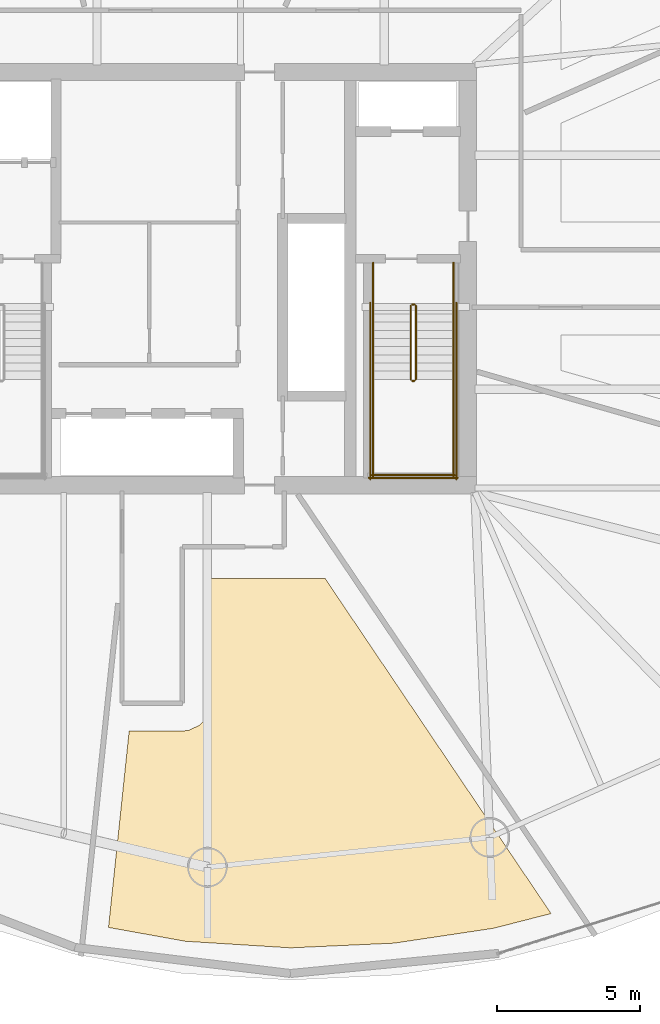
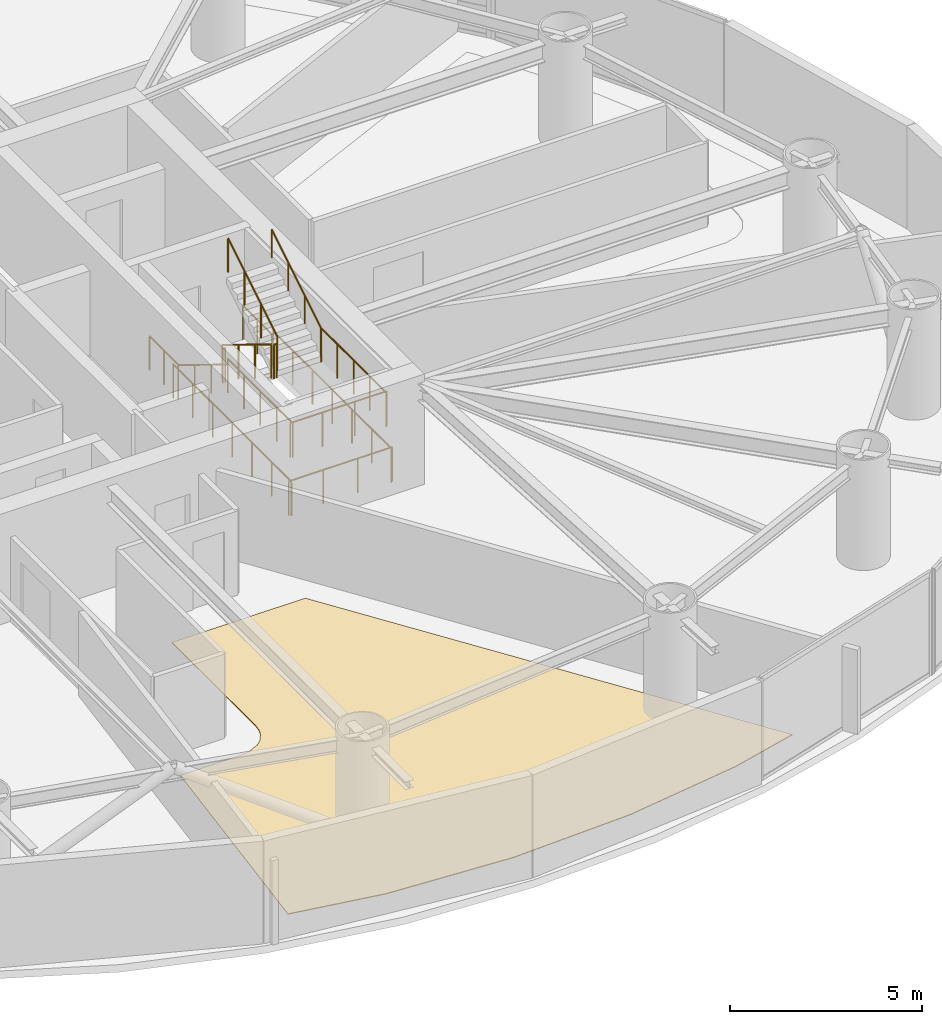
# One storey, part 19 of 20: 14 railings, 1 covering.
"""IFC4 building model written with IfcOpenShell, lengths in metres."""

from ifc_helpers import new_model, si_unit, direction, frame, origin, origin_2d, place, context, subcontext, project, spatial, polyline, circle, outline, extrude, material, layer, layer_set, type_object, element, save


model = new_model("IFC4")

# Units and contexts
model_context = context("Model", 3, precision=1e-05, world=origin(), true_north=direction((0.0, 1.0)))
body_context = subcontext(model_context, "Body", "Model", "MODEL_VIEW")
ifc_project = project(units=[si_unit("LENGTHUNIT", "METRE"), si_unit("AREAUNIT", "SQUARE_METRE"), si_unit("VOLUMEUNIT", "CUBIC_METRE"), si_unit("PLANEANGLEUNIT", "RADIAN"), si_unit("MASSUNIT", "GRAM", prefix="KILO")], contexts=[model_context])

# Site, building, storey
site_placement = place(None, origin())
site = spatial("IfcSite", under=ifc_project, at=site_placement, CompositionType="ELEMENT")
building_placement = place(site_placement, origin())
building = spatial("IfcBuilding", under=site, at=building_placement, Name="Bramvorn Convention Spire", CompositionType="ELEMENT")
storey_placement = place(building_placement, frame((0.0, 0.0, 144.800048828125)))
storey = spatial("IfcBuildingStorey", under=building, at=storey_placement, Name="L36", CompositionType="ELEMENT", Elevation=144.800048828125)

# Covering
ifc_material_1 = material(Name="Honed Dolomitic Limestone Terrazzo Flooring", Category="masonry")
ifc_layer = layer(ifc_material_1, 0.02490234375)
ifc_layer_set = layer_set([ifc_layer], Name="Honed Dolomitic Limestone Terrazzo Flooring - FLR-TERRAZZO-25")
covering_type = type_object("IfcCoveringType", Name="FLR-TERRAZZO-25", PredefinedType="FLOORING", material=ifc_layer_set)
covering_placement = place(storey_placement, origin())
element("IfcCovering", 1, at=covering_placement, inside=storey, type_object=covering_type, Name="L36 Executive Strategy Suite 7 raised floor finish", PredefinedType="FLOORING", context=body_context, shape_type="SweptSolid", body=[
    extrude(outline(polyline([(36.477783203125, 3.385009765625), (39.156982421875, 2.902587890625), (42.82421875, 2.6728515625), (46.43212890625, 2.8369140625), (49.894775390625, 3.35498046875), (51.901611328125, 3.869873046875), (44.023193359375, 15.550048828125), (40.02001953125, 15.550048828125), (40.02001953125, 11.199951171875), (39.9921875, 10.97021484375), (39.92431640625, 10.780029296875), (39.772705078125, 10.552978515625), (39.632568359375, 10.424560546875), (39.27978515625, 10.2578125), (39.050048828125, 10.22998046875), (37.197265625, 10.22998046875), (36.477783203125, 3.385009765625)])), origin(), (0.0, 0.0, 1.0), 0.02490234375),
])

# Railings
ifc_material_2 = material(Name="Painted Steel Balustrade & Guardrail", Category="steel")
railing_type_1 = type_object("IfcRailingType", Name="RL-STAIR-GUARD-1100", PredefinedType="GUARDRAIL", material=ifc_material_2)
railing_1_placement = place(storey_placement, frame((47.010009765625, 25.050048828125, 0.175048828125)))
element("IfcRailing", 2, at=railing_1_placement, inside=storey, type_object=railing_type_1, Name="L36 ST2 stair guard 1", PredefinedType="GUARDRAIL", context=body_context, shape_type="SweptSolid", body=[
    extrude(circle(Radius=0.02392578125, at=origin_2d()), frame((0.0, 0.0, 1.076171875), z_axis=(0.0, -0.852173129349, 0.523259933127), x_axis=(1.0, 0.0, 0.0)), (0.0, 0.0, 1.0), 3.009765625),
    extrude(circle(Radius=0.02099609375, at=origin_2d()), origin(), (0.0, 0.0, 1.0), 1.052001953125),
    extrude(circle(Radius=0.02099609375, at=origin_2d()), frame((0.0, -0.85498046875, 0.52490234375)), (0.0, 0.0, 1.0), 1.052001953125),
    extrude(circle(Radius=0.02099609375, at=origin_2d()), frame((0.0, -1.7099609375, 1.050048828125)), (0.0, 0.0, 1.0), 1.052001953125),
    extrude(circle(Radius=0.02099609375, at=origin_2d()), frame((0.0, -2.56494140625, 1.574951171875)), (0.0, 0.0, 1.0), 1.052001953125),
])
railing_2_placement = place(storey_placement, frame((47.06005859375, 22.43505859375, 1.75)))
element("IfcRailing", 3, at=railing_2_placement, inside=storey, type_object=railing_type_1, Name="L36 ST2 stair guard 2", PredefinedType="GUARDRAIL", context=body_context, shape_type="SweptSolid", body=[
    extrude(circle(Radius=0.02392578125, at=origin_2d()), frame((0.0, 0.0, 1.076171875), z_axis=(1.0, 0.0, 0.0), x_axis=(0.0, 1.0, 0.0)), (0.0, 0.0, 1.0), 0.079833984375),
    extrude(circle(Radius=0.02099609375, at=origin_2d()), origin(), (0.0, 0.0, 1.0), 1.052001953125),
    extrude(circle(Radius=0.02099609375, at=origin_2d()), frame((0.079833984375, 0.0, 0.0)), (0.0, 0.0, 1.0), 1.052001953125),
])
for number, where, name in (
    (4, (45.699951171875, 22.485107421875, 1.75), "L36 ST2 stair guard 3"),
    (5, (48.5, 22.485107421875, 1.75), "L36 ST2 stair guard 4"),
):
    element("IfcRailing", number, at=place(storey_placement, frame(where)), inside=storey, type_object=railing_type_1, Name=name, PredefinedType="GUARDRAIL", context=body_context, shape_type="SweptSolid", body=[
        extrude(circle(Radius=0.02392578125, at=origin_2d()), frame((0.0, 0.0, 1.076171875), z_axis=(0.0, -1.0, 0.0), x_axis=(1.0, 0.0, 0.0)), (0.0, 0.0, 1.0), 3.385009765625),
        extrude(circle(Radius=0.02099609375, at=origin_2d()), origin(), (0.0, 0.0, 1.0), 1.052001953125),
        extrude(circle(Radius=0.02099609375, at=origin_2d()), frame((0.0, -0.84619140625, 0.0)), (0.0, 0.0, 1.0), 1.052001953125),
        extrude(circle(Radius=0.02099609375, at=origin_2d()), frame((0.0, -1.6923828125, 0.0)), (0.0, 0.0, 1.0), 1.052001953125),
        extrude(circle(Radius=0.02099609375, at=origin_2d()), frame((0.0, -2.538818359375, 0.0)), (0.0, 0.0, 1.0), 1.052001953125),
        extrude(circle(Radius=0.02099609375, at=origin_2d()), frame((0.0, -3.385009765625, 0.0)), (0.0, 0.0, 1.0), 1.052001953125),
    ])
railing_3_placement = place(storey_placement, frame((45.64990234375, 19.14990234375, 1.75)))
element("IfcRailing", 6, at=railing_3_placement, inside=storey, type_object=railing_type_1, Name="L36 ST2 stair guard 5", PredefinedType="GUARDRAIL", context=body_context, shape_type="SweptSolid", body=[
    extrude(circle(Radius=0.02392578125, at=origin_2d()), frame((0.0, 0.0, 1.076171875), z_axis=(1.0, 0.0, 0.0), x_axis=(0.0, 1.0, 0.0)), (0.0, 0.0, 1.0), 2.900146484375),
    extrude(circle(Radius=0.02099609375, at=origin_2d()), origin(), (0.0, 0.0, 1.0), 1.052001953125),
    extrude(circle(Radius=0.02099609375, at=origin_2d()), frame((0.966796875, 0.0, 0.0)), (0.0, 0.0, 1.0), 1.052001953125),
    extrude(circle(Radius=0.02099609375, at=origin_2d()), frame((1.933349609375, 0.0, 0.0)), (0.0, 0.0, 1.0), 1.052001953125),
    extrude(circle(Radius=0.02099609375, at=origin_2d()), frame((2.900146484375, 0.0, 0.0)), (0.0, 0.0, 1.0), 1.052001953125),
])
railing_4_placement = place(storey_placement, frame((47.18994140625, 22.485107421875, 1.925048828125)))
element("IfcRailing", 7, at=railing_4_placement, inside=storey, type_object=railing_type_1, Name="L36 ST2 stair guard 6", PredefinedType="GUARDRAIL", context=body_context, shape_type="SweptSolid", body=[
    extrude(circle(Radius=0.02392578125, at=origin_2d()), frame((0.0, 0.0, 1.076171875), z_axis=(0.0, 0.852173129349, 0.523259933127), x_axis=(-1.0, 0.0, 0.0)), (0.0, 0.0, 1.0), 3.009765625),
    extrude(circle(Radius=0.02099609375, at=origin_2d()), origin(), (0.0, 0.0, 1.0), 1.052001953125),
    extrude(circle(Radius=0.02099609375, at=origin_2d()), frame((0.0, 0.85498046875, 0.52490234375)), (0.0, 0.0, 1.0), 1.052001953125),
    extrude(circle(Radius=0.02099609375, at=origin_2d()), frame((0.0, 1.7099609375, 1.050048828125)), (0.0, 0.0, 1.0), 1.052001953125),
    extrude(circle(Radius=0.02099609375, at=origin_2d()), frame((0.0, 2.56494140625, 1.574951171875)), (0.0, 0.0, 1.0), 1.052001953125),
])
railing_5_placement = place(storey_placement, frame((47.06005859375, 25.10009765625, 0.0)))
element("IfcRailing", 8, at=railing_5_placement, inside=storey, type_object=railing_type_1, Name="L36 ST2 stair guard 7", PredefinedType="GUARDRAIL", context=body_context, shape_type="SweptSolid", body=[
    extrude(circle(Radius=0.02392578125, at=origin_2d()), frame((0.0, 0.0, 1.076171875), z_axis=(1.0, 0.0, 0.0), x_axis=(0.0, 1.0, 0.0)), (0.0, 0.0, 1.0), 0.079833984375),
    extrude(circle(Radius=0.02099609375, at=origin_2d()), origin(), (0.0, 0.0, 1.0), 1.052001953125),
    extrude(circle(Radius=0.02099609375, at=origin_2d()), frame((0.079833984375, 0.0, 0.0)), (0.0, 0.0, 1.0), 1.052001953125),
])
for number, where, name in (
    (9, (45.699951171875, 26.550048828125, 0.0), "L36 ST2 stair guard 8"),
    (10, (48.5, 26.550048828125, 0.0), "L36 ST2 stair guard 9"),
):
    element("IfcRailing", number, at=place(storey_placement, frame(where)), inside=storey, type_object=railing_type_1, Name=name, PredefinedType="GUARDRAIL", context=body_context, shape_type="SweptSolid", body=[
        extrude(circle(Radius=0.02392578125, at=origin_2d()), frame((0.0, 0.0, 1.076171875), z_axis=(0.0, -1.0, 0.0), x_axis=(1.0, 0.0, 0.0)), (0.0, 0.0, 1.0), 1.5),
        extrude(circle(Radius=0.02099609375, at=origin_2d()), origin(), (0.0, 0.0, 1.0), 1.052001953125),
        extrude(circle(Radius=0.02099609375, at=origin_2d()), frame((0.0, -0.75, 0.0)), (0.0, 0.0, 1.0), 1.052001953125),
        extrude(circle(Radius=0.02099609375, at=origin_2d()), frame((0.0, -1.5, 0.0)), (0.0, 0.0, 1.0), 1.052001953125),
    ])
for number, where, name in (
    (11, (45.60009765625, 25.14990234375, 0.0), "L36 ST2 stair guard 10"),
    (12, (48.60009765625, 25.14990234375, 0.0), "L36 ST2 stair guard 11"),
):
    element("IfcRailing", number, at=place(storey_placement, frame(where)), inside=storey, type_object=railing_type_1, Name=name, PredefinedType="GUARDRAIL", context=body_context, shape_type="SweptSolid", body=[
        extrude(circle(Radius=0.02392578125, at=origin_2d()), frame((0.0, 0.0, 1.076171875), z_axis=(0.0, -1.0, 0.0), x_axis=(1.0, 0.0, 0.0)), (0.0, 0.0, 1.0), 6.14990234375),
        extrude(circle(Radius=0.02099609375, at=origin_2d()), origin(), (0.0, 0.0, 1.0), 1.052001953125),
        extrude(circle(Radius=0.02099609375, at=origin_2d()), frame((0.0, -1.02490234375, 0.0)), (0.0, 0.0, 1.0), 1.052001953125),
        extrude(circle(Radius=0.02099609375, at=origin_2d()), frame((0.0, -2.050048828125, 0.0)), (0.0, 0.0, 1.0), 1.052001953125),
        extrude(circle(Radius=0.02099609375, at=origin_2d()), frame((0.0, -3.074951171875, 0.0)), (0.0, 0.0, 1.0), 1.052001953125),
        extrude(circle(Radius=0.02099609375, at=origin_2d()), frame((0.0, -4.099853515625, 0.0)), (0.0, 0.0, 1.0), 1.052001953125),
        extrude(circle(Radius=0.02099609375, at=origin_2d()), frame((0.0, -5.125, 0.0)), (0.0, 0.0, 1.0), 1.052001953125),
        extrude(circle(Radius=0.02099609375, at=origin_2d()), frame((0.0, -6.14990234375, 0.0)), (0.0, 0.0, 1.0), 1.052001953125),
    ])
railing_6_placement = place(storey_placement, frame((45.550048828125, 19.050048828125, 0.0)))
element("IfcRailing", 13, at=railing_6_placement, inside=storey, type_object=railing_type_1, Name="L36 ST2 stair guard 12", PredefinedType="GUARDRAIL", context=body_context, shape_type="SweptSolid", body=[
    extrude(circle(Radius=0.02392578125, at=origin_2d()), frame((0.0, 0.0, 1.076171875), z_axis=(1.0, 0.0, 0.0), x_axis=(0.0, 1.0, 0.0)), (0.0, 0.0, 1.0), 3.099853515625),
    extrude(circle(Radius=0.02099609375, at=origin_2d()), origin(), (0.0, 0.0, 1.0), 1.052001953125),
    extrude(circle(Radius=0.02099609375, at=origin_2d()), frame((1.033203125, 0.0, 0.0)), (0.0, 0.0, 1.0), 1.052001953125),
    extrude(circle(Radius=0.02099609375, at=origin_2d()), frame((2.066650390625, 0.0, 0.0)), (0.0, 0.0, 1.0), 1.052001953125),
    extrude(circle(Radius=0.02099609375, at=origin_2d()), frame((3.099853515625, 0.0, 0.0)), (0.0, 0.0, 1.0), 1.052001953125),
])
ifc_material_3 = material(Name="Brushed Bronze Tubular Handrail", Category="aluminium")
railing_type_2 = type_object("IfcRailingType", Name="RL-STAIR-HR-920", PredefinedType="HANDRAIL", material=ifc_material_3)
railing_7_placement = place(storey_placement, frame((45.699951171875, 25.050048828125, 0.175048828125)))
element("IfcRailing", 14, at=railing_7_placement, inside=storey, type_object=railing_type_2, Name="L36 ST2 stair handrail 1", PredefinedType="HANDRAIL", context=body_context, shape_type="SweptSolid", body=[
    extrude(circle(Radius=0.02392578125, at=origin_2d()), frame((0.0, 0.0, 0.89599609375), z_axis=(0.0, -0.852173129349, 0.523259933127), x_axis=(1.0, 0.0, 0.0)), (0.0, 0.0, 1.0), 3.009765625),
    extrude(circle(Radius=0.02099609375, at=origin_2d()), origin(), (0.0, 0.0, 1.0), 0.871826171875),
    extrude(circle(Radius=0.02099609375, at=origin_2d()), frame((0.0, -0.85498046875, 0.52490234375)), (0.0, 0.0, 1.0), 0.871826171875),
    extrude(circle(Radius=0.02099609375, at=origin_2d()), frame((0.0, -1.7099609375, 1.050048828125)), (0.0, 0.0, 1.0), 0.871826171875),
    extrude(circle(Radius=0.02099609375, at=origin_2d()), frame((0.0, -2.56494140625, 1.574951171875)), (0.0, 0.0, 1.0), 0.871826171875),
])
railing_8_placement = place(storey_placement, frame((48.5, 22.485107421875, 1.925048828125)))
element("IfcRailing", 15, at=railing_8_placement, inside=storey, type_object=railing_type_2, Name="L36 ST2 stair handrail 2", PredefinedType="HANDRAIL", context=body_context, shape_type="SweptSolid", body=[
    extrude(circle(Radius=0.02392578125, at=origin_2d()), frame((0.0, 0.0, 0.89599609375), z_axis=(0.0, 0.852173129349, 0.523259933127), x_axis=(-1.0, 0.0, 0.0)), (0.0, 0.0, 1.0), 3.009765625),
    extrude(circle(Radius=0.02099609375, at=origin_2d()), origin(), (0.0, 0.0, 1.0), 0.871826171875),
    extrude(circle(Radius=0.02099609375, at=origin_2d()), frame((0.0, 0.85498046875, 0.52490234375)), (0.0, 0.0, 1.0), 0.871826171875),
    extrude(circle(Radius=0.02099609375, at=origin_2d()), frame((0.0, 1.7099609375, 1.050048828125)), (0.0, 0.0, 1.0), 0.871826171875),
    extrude(circle(Radius=0.02099609375, at=origin_2d()), frame((0.0, 2.56494140625, 1.574951171875)), (0.0, 0.0, 1.0), 0.871826171875),
])

save(model, "model.ifc")
